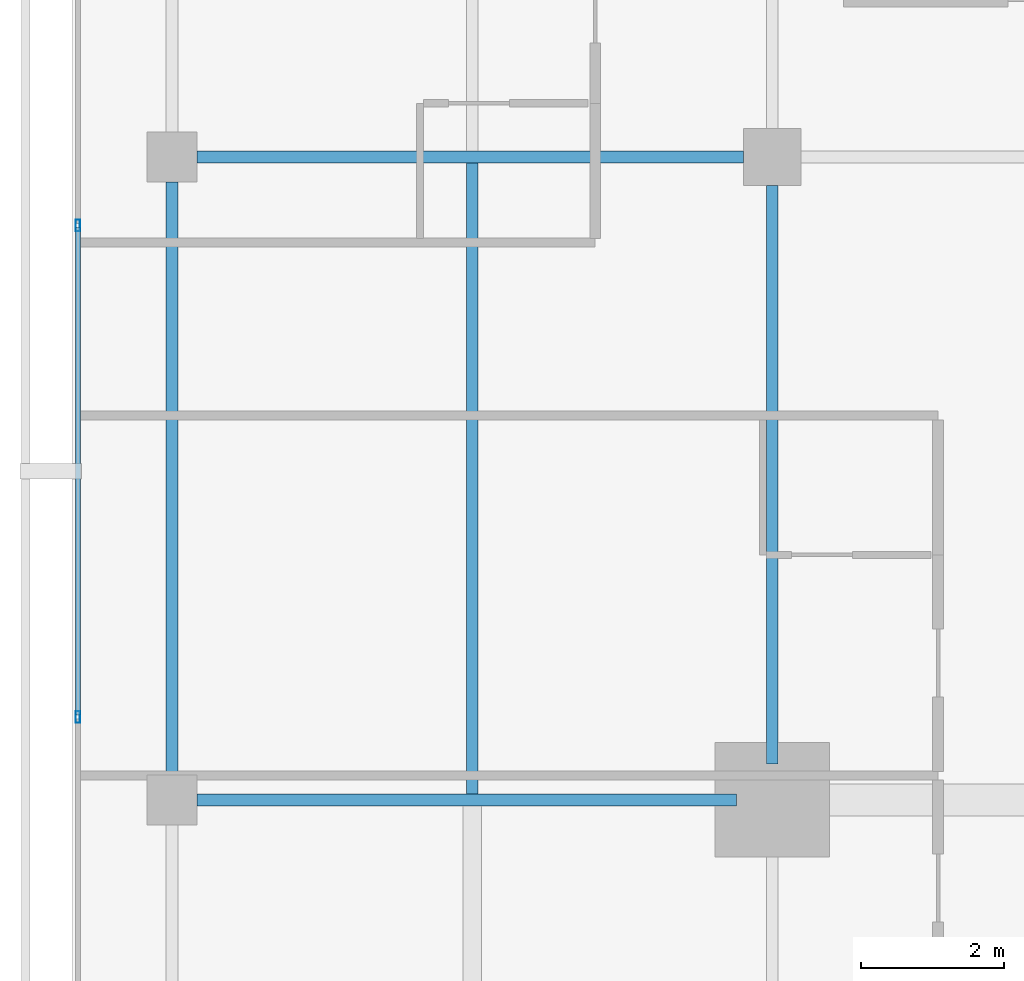
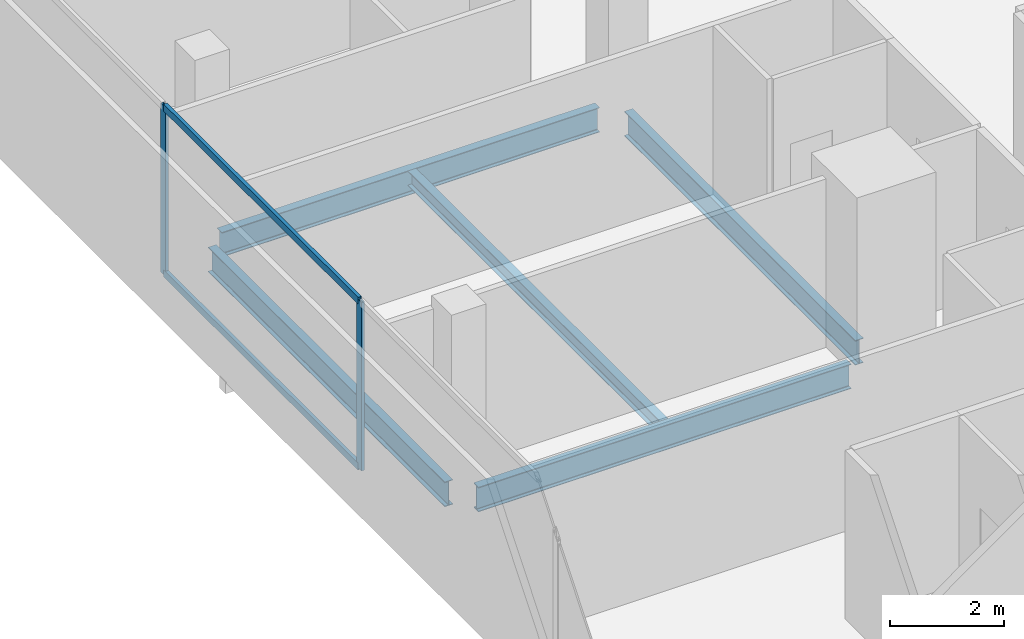
# One storey, part 8 of 26: 5 beams, 4 members, 1 element without a shape of its own.
"""IFC4 building model written with IfcOpenShell, lengths in metres."""

from ifc_helpers import new_model, si_unit, direction, frame, origin, origin_2d, place, context, subcontext, project, spatial, hollow_rectangle, i_section, extrude, material, layer, layer_set, material_profile, profile_set, type_object, element, aggregate, save


model = new_model("IFC4")

# Units and contexts
model_context = context("Model", 3, precision=1e-05, world=origin(), true_north=direction((0.0, 1.0)))
body_context = subcontext(model_context, "Body", "Model", "MODEL_VIEW")
ifc_project = project(units=[si_unit("LENGTHUNIT", "METRE"), si_unit("AREAUNIT", "SQUARE_METRE"), si_unit("VOLUMEUNIT", "CUBIC_METRE"), si_unit("PLANEANGLEUNIT", "RADIAN"), si_unit("MASSUNIT", "GRAM", prefix="KILO")], contexts=[model_context])

# Site, building, storey
site_placement = place(None, origin())
site = spatial("IfcSite", under=ifc_project, at=site_placement, CompositionType="ELEMENT")
building_placement = place(site_placement, origin())
building = spatial("IfcBuilding", under=site, at=building_placement, Name="Maruvema Waterfront Hotel and Observation Tower", CompositionType="ELEMENT")
storey_placement = place(building_placement, frame((0.0, 0.0, 293.300048828125)))
storey = spatial("IfcBuildingStorey", under=building, at=storey_placement, Name="L72", CompositionType="ELEMENT", Elevation=293.300048828125)

# Curtain wall, members
ifc_material_1 = material(Name="Anodised bronze aluminium and solar-control low-E IGU", Category="aluminium")
ifc_layer = layer(ifc_material_1, 0.159912109375, Name="Zone 3 Champagne Inner Thermal Curtain Wall System CW-04")
ifc_layer_set = layer_set([ifc_layer], Name="Anodised bronze aluminium and solar-control low-E IGU")
curtain_wall_type = type_object("IfcCurtainWallType", Name="Zone 3 Champagne Inner Thermal Curtain Wall System CW-04", PredefinedType="USERDEFINED", material=ifc_layer_set)
curtain_wall_placement = place(storey_placement, origin())
curtain_wall = element("IfcCurtainWall", 1, at=curtain_wall_placement, inside=storey, type_object=curtain_wall_type, Name="L72 Curtain Wall CW-L72-W", ObjectType="UNITISED CURTAIN WALL", PredefinedType="USERDEFINED")
ifc_material_2 = material(Name="Anodised architectural bronze aluminium", Category="aluminium")
ifc_material_profile_1 = material_profile(ifc_material_2, hollow_rectangle(XDim=0.070068359375, YDim=0.14990234375, WallThickness=0.00390625, at=origin_2d()), Name="ALU-T70x150")
ifc_profile_set_1 = profile_set([ifc_material_profile_1], Name="Anodised architectural bronze aluminium")
member_type_1 = type_object("IfcMemberType", Name="Curtain Wall Horizontal Transom ALU-T70x150", PredefinedType="USERDEFINED", material=ifc_profile_set_1)
member_1_placement = place(storey_placement, frame((15.47998046875, 35.010009765625, 0.030029296875), z_axis=(0.0, -1.0, 0.0), x_axis=(1.0, 0.0, 0.0)))
member_1 = element("IfcMember", 2, at=member_1_placement, type_object=member_type_1, Name="CW-04 transom 3.1", ObjectType="TRANSOM", PredefinedType="USERDEFINED", context=body_context, shape_type="SweptSolid", body=[
    extrude(hollow_rectangle(XDim=0.070068359375, YDim=0.14990234375, WallThickness=0.00390625, at=origin_2d()), origin(), (0.0, 0.0, 1.0), 6.820068359375),
])
member_2_placement = place(storey_placement, frame((15.47998046875, 35.010009765625, 3.579833984375), z_axis=(0.0, -1.0, 0.0), x_axis=(1.0, 0.0, 0.0)))
member_2 = element("IfcMember", 3, at=member_2_placement, type_object=member_type_1, Name="CW-04 transom 3.2", ObjectType="TRANSOM", PredefinedType="USERDEFINED", context=body_context, shape_type="SweptSolid", body=[
    extrude(hollow_rectangle(XDim=0.070068359375, YDim=0.14990234375, WallThickness=0.00390625, at=origin_2d()), origin(), (0.0, 0.0, 1.0), 6.820068359375),
])
ifc_material_3 = material(Name="Anodised architectural bronze aluminium", Category="aluminium")
ifc_material_profile_2 = material_profile(ifc_material_3, hollow_rectangle(XDim=0.06494140625, YDim=0.1650390625, WallThickness=0.00390625, at=origin_2d()), Name="ALU-M65x165")
ifc_profile_set_2 = profile_set([ifc_material_profile_2], Name="Anodised architectural bronze aluminium")
member_type_2 = type_object("IfcMemberType", Name="Curtain Wall Primary Mullion ALU-M65x165", PredefinedType="MULLION", material=ifc_profile_set_2)
member_3_placement = place(storey_placement, frame((15.47998046875, 35.0400390625, 0.0), z_axis=(0.0, 0.0, 1.0), x_axis=(1.0, 0.0, 0.0)))
member_3 = element("IfcMember", 4, at=member_3_placement, type_object=member_type_2, Name="CW-04 mullion 3", PredefinedType="MULLION", context=body_context, shape_type="SweptSolid", body=[
    extrude(hollow_rectangle(XDim=0.06494140625, YDim=0.1650390625, WallThickness=0.00390625, at=origin_2d()), origin(), (0.0, 0.0, 1.0), 3.60986328125),
])
member_4_placement = place(storey_placement, frame((15.47998046875, 28.159912109375, 0.0), z_axis=(0.0, 0.0, 1.0), x_axis=(1.0, 0.0, 0.0)))
member_4 = element("IfcMember", 5, at=member_4_placement, type_object=member_type_2, Name="CW-04 mullion 4", PredefinedType="MULLION", context=body_context, shape_type="SweptSolid", body=[
    extrude(hollow_rectangle(XDim=0.06494140625, YDim=0.1650390625, WallThickness=0.00390625, at=origin_2d()), origin(), (0.0, 0.0, 1.0), 3.60986328125),
])
aggregate(curtain_wall, [member_3, member_4, member_1, member_2])

# Beams
ifc_material_4 = material(Name="Steel ASTM A572 Grade 50", Category="steel")
ifc_material_profile_3 = material_profile(ifc_material_4, i_section(OverallWidth=0.166015625, OverallDepth=0.529052734375, WebThickness=0.009765625, FlangeThickness=0.013671875, FilletRadius=0.014892578125, at=origin_2d()), Name="W530x74.0")
ifc_profile_set_3 = profile_set([ifc_material_profile_3], Name="Steel ASTM A572 Grade 50")
beam_type_1 = type_object("IfcBeamType", Name="Primary Floor Girder W530x74.0", PredefinedType="BEAM", material=ifc_profile_set_3)
beam_1_placement = place(storey_placement, frame((17.14990234375, 27.0, -0.504638671875), z_axis=(1.0, 0.0, 0.0), x_axis=(0.0, 1.0, 0.0)))
element("IfcBeam", 6, at=beam_1_placement, inside=storey, type_object=beam_type_1, Name="L72 Floor Girder EW-09", PredefinedType="BEAM", context=body_context, shape_type="SweptSolid", body=[
    extrude(i_section(OverallWidth=0.166015625, OverallDepth=0.529052734375, WebThickness=0.009765625, FlangeThickness=0.013671875, FilletRadius=0.014892578125, at=origin_2d()), origin(), (0.0, 0.0, 1.0), 7.550048828125),
])
beam_2_placement = place(storey_placement, frame((17.14990234375, 36.0, -0.504638671875), z_axis=(1.0, 0.0, 0.0), x_axis=(0.0, 1.0, 0.0)))
element("IfcBeam", 7, at=beam_2_placement, inside=storey, type_object=beam_type_1, Name="L72 Floor Girder EW-12", PredefinedType="BEAM", context=body_context, shape_type="SweptSolid", body=[
    extrude(i_section(OverallWidth=0.166015625, OverallDepth=0.529052734375, WebThickness=0.009765625, FlangeThickness=0.013671875, FilletRadius=0.014892578125, at=origin_2d()), origin(), (0.0, 0.0, 1.0), 7.650146484375),
])
beam_3_placement = place(storey_placement, frame((16.800048828125, 27.35009765625, -0.504638671875), z_axis=(0.0, 1.0, 0.0), x_axis=(-1.0, 0.0, 0.0)))
element("IfcBeam", 8, at=beam_3_placement, inside=storey, type_object=beam_type_1, Name="L72 Floor Girder NS-02", PredefinedType="BEAM", context=body_context, shape_type="SweptSolid", body=[
    extrude(i_section(OverallWidth=0.166015625, OverallDepth=0.529052734375, WebThickness=0.009765625, FlangeThickness=0.013671875, FilletRadius=0.014892578125, at=origin_2d()), origin(), (0.0, 0.0, 1.0), 8.2998046875),
])
beam_4_placement = place(storey_placement, frame((25.199951171875, 27.5, -0.504638671875), z_axis=(0.0, 1.0, 0.0), x_axis=(-1.0, 0.0, 0.0)))
element("IfcBeam", 9, at=beam_4_placement, inside=storey, type_object=beam_type_1, Name="L72 Floor Girder NS-06", PredefinedType="BEAM", context=body_context, shape_type="SweptSolid", body=[
    extrude(i_section(OverallWidth=0.166015625, OverallDepth=0.529052734375, WebThickness=0.009765625, FlangeThickness=0.013671875, FilletRadius=0.014892578125, at=origin_2d()), origin(), (0.0, 0.0, 1.0), 8.10009765625),
])
ifc_material_5 = material(Name="Steel ASTM A572 Grade 50", Category="steel")
ifc_material_profile_4 = material_profile(ifc_material_5, i_section(OverallWidth=0.1669921875, OverallDepth=0.31689453125, WebThickness=0.007568359375, FlangeThickness=0.01318359375, FilletRadius=0.012939453125, at=origin_2d()), Name="W310x52.0")
ifc_profile_set_4 = profile_set([ifc_material_profile_4], Name="Steel ASTM A572 Grade 50")
beam_type_2 = type_object("IfcBeamType", Name="Secondary Floor Joist W310x52.0", PredefinedType="JOIST", material=ifc_profile_set_4)
beam_5_placement = place(storey_placement, frame((21.0, 27.0830078125, -0.3984375), z_axis=(0.0, 1.0, 0.0), x_axis=(-1.0, 0.0, 0.0)))
element("IfcBeam", 10, at=beam_5_placement, inside=storey, type_object=beam_type_2, Name="L72 Secondary Floor Joist JS-02", PredefinedType="JOIST", context=body_context, shape_type="SweptSolid", body=[
    extrude(i_section(OverallWidth=0.1669921875, OverallDepth=0.31689453125, WebThickness=0.007568359375, FlangeThickness=0.01318359375, FilletRadius=0.012939453125, at=origin_2d()), origin(), (0.0, 0.0, 1.0), 8.833984375),
])

save(model, "model.ifc")
